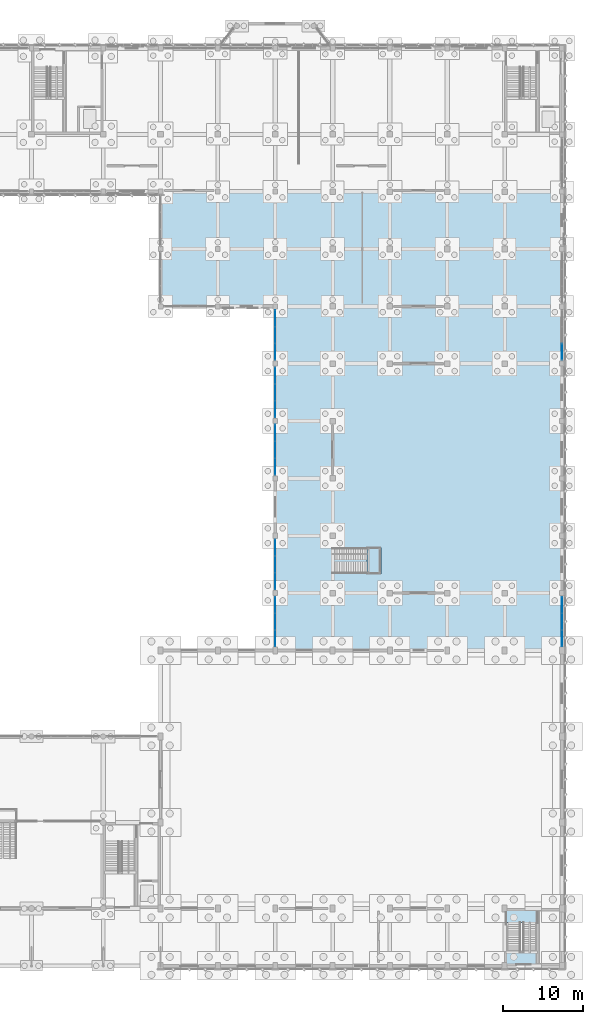
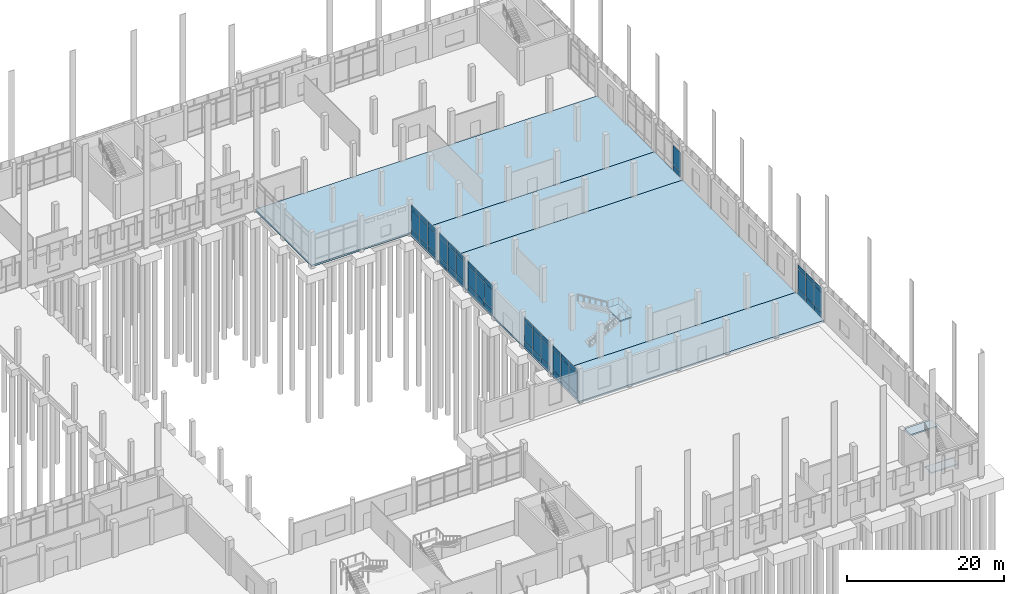
# One storey, part 78 of 109: 56 plates, 7 slabs, 9 elements without a shape of their own.
"""IFC4 building model written with IfcOpenShell, lengths in metres."""

from ifc_helpers import new_model, si_unit, direction, frame, origin, origin_2d, place, context, subcontext, project, spatial, polyline, rectangle, outline, extrude, material, layer, layer_set, type_object, element, aggregate, save


model = new_model("IFC4")

# Units and contexts
model_context = context("Model", 3, precision=1e-05, world=origin(), true_north=direction((0.0, 1.0)))
body_context = subcontext(model_context, "Body", "Model", "MODEL_VIEW")
ifc_project = project(units=[si_unit("LENGTHUNIT", "METRE"), si_unit("AREAUNIT", "SQUARE_METRE"), si_unit("VOLUMEUNIT", "CUBIC_METRE"), si_unit("PLANEANGLEUNIT", "RADIAN"), si_unit("MASSUNIT", "GRAM", prefix="KILO")], contexts=[model_context])

# Site, building, storey
site_placement = place(None, origin())
site = spatial("IfcSite", under=ifc_project, at=site_placement, CompositionType="ELEMENT")
building_placement = place(site_placement, origin())
building = spatial("IfcBuilding", under=site, at=building_placement, Name="Lusvemor Sports Hall", CompositionType="ELEMENT")
storey_placement = place(building_placement, origin())
storey = spatial("IfcBuildingStorey", under=building, at=storey_placement, Name="L00", CompositionType="ELEMENT", Elevation=0.0)

# Curtain wall, plates
ifc_material_1 = material(Name="Thermally broken bronze-anodized aluminium", Category="aluminium")
curtain_wall_type_1 = type_object("IfcCurtainWallType", Name="CW_CLIMB_D", PredefinedType="NOTDEFINED", material=ifc_material_1)
curtain_wall_1_placement = place(storey_placement, origin())
curtain_wall_1 = element("IfcCurtainWall", 1, at=curtain_wall_1_placement, inside=storey, type_object=curtain_wall_type_1, Name="Curtain Wall CW-V3W-L00-0", PredefinedType="NOTDEFINED")
ifc_material_2 = material(Name="Solar-control laminated double glazing", Category="glass")
ifc_layer_1 = layer(ifc_material_2, 0.028076171875)
ifc_layer_set_1 = layer_set([ifc_layer_1], Name="Solar-control laminated double glazing")
plate_type_1 = type_object("IfcPlateType", Name="CW_PAN_GLZ_28", PredefinedType="CURTAIN_PANEL", material=ifc_layer_set_1)
plate_1_placement = place(storey_placement, frame((133.199951171875, 48.296142578125, 0.8798828125), z_axis=(0.0, 0.0, 1.0), x_axis=(0.0, 1.0, 0.0)))
plate_1 = element("IfcPlate", 2, at=plate_1_placement, type_object=plate_type_1, Name="CW04 panel 1.2", PredefinedType="CURTAIN_PANEL", context=body_context, shape_type="SweptSolid", body=[
    extrude(rectangle(XDim=2.0224609375, YDim=0.028076171875, at=origin_2d()), origin(), (0.0, 0.0, 1.0), 3.0400390625),
])
plate_2_placement = place(storey_placement, frame((133.199951171875, 48.296142578125, 3.97998046875), z_axis=(0.0, 0.0, 1.0), x_axis=(0.0, 1.0, 0.0)))
plate_2 = element("IfcPlate", 3, at=plate_2_placement, type_object=plate_type_1, Name="CW04 panel 1.3", PredefinedType="CURTAIN_PANEL", context=body_context, shape_type="SweptSolid", body=[
    extrude(rectangle(XDim=2.0224609375, YDim=0.028076171875, at=origin_2d()), origin(), (0.0, 0.0, 1.0), 0.659912109375),
])
plate_3_placement = place(storey_placement, frame((133.199951171875, 50.39990234375, 0.8798828125), z_axis=(0.0, 0.0, 1.0), x_axis=(0.0, 1.0, 0.0)))
plate_3 = element("IfcPlate", 4, at=plate_3_placement, type_object=plate_type_1, Name="CW04 panel 2.2", PredefinedType="CURTAIN_PANEL", context=body_context, shape_type="SweptSolid", body=[
    extrude(rectangle(XDim=2.054931640625, YDim=0.028076171875, at=origin_2d()), origin(), (0.0, 0.0, 1.0), 3.0400390625),
])
plate_4_placement = place(storey_placement, frame((133.199951171875, 50.39990234375, 3.97998046875), z_axis=(0.0, 0.0, 1.0), x_axis=(0.0, 1.0, 0.0)))
plate_4 = element("IfcPlate", 5, at=plate_4_placement, type_object=plate_type_1, Name="CW04 panel 2.3", PredefinedType="CURTAIN_PANEL", context=body_context, shape_type="SweptSolid", body=[
    extrude(rectangle(XDim=2.054931640625, YDim=0.028076171875, at=origin_2d()), origin(), (0.0, 0.0, 1.0), 0.659912109375),
])
plate_5_placement = place(storey_placement, frame((133.199951171875, 52.503662109375, 0.8798828125), z_axis=(0.0, 0.0, 1.0), x_axis=(0.0, 1.0, 0.0)))
plate_5 = element("IfcPlate", 6, at=plate_5_placement, type_object=plate_type_1, Name="CW04 panel 3.2", PredefinedType="CURTAIN_PANEL", context=body_context, shape_type="SweptSolid", body=[
    extrude(rectangle(XDim=2.0224609375, YDim=0.028076171875, at=origin_2d()), origin(), (0.0, 0.0, 1.0), 3.0400390625),
])
plate_6_placement = place(storey_placement, frame((133.199951171875, 52.503662109375, 3.97998046875), z_axis=(0.0, 0.0, 1.0), x_axis=(0.0, 1.0, 0.0)))
plate_6 = element("IfcPlate", 7, at=plate_6_placement, type_object=plate_type_1, Name="CW04 panel 3.3", PredefinedType="CURTAIN_PANEL", context=body_context, shape_type="SweptSolid", body=[
    extrude(rectangle(XDim=2.0224609375, YDim=0.028076171875, at=origin_2d()), origin(), (0.0, 0.0, 1.0), 0.659912109375),
])

curtain_wall_2_placement = place(storey_placement, origin())
curtain_wall_2 = element("IfcCurtainWall", 8, at=curtain_wall_2_placement, inside=storey, type_object=curtain_wall_type_1, Name="Curtain Wall CW-V3W-L00-2", PredefinedType="NOTDEFINED")
plate_7_placement = place(storey_placement, frame((133.199951171875, 62.6962890625, 0.8798828125), z_axis=(0.0, 0.0, 1.0), x_axis=(0.0, 1.0, 0.0)))
plate_7 = element("IfcPlate", 9, at=plate_7_placement, type_object=plate_type_1, Name="CW04 panel 1.2", PredefinedType="CURTAIN_PANEL", context=body_context, shape_type="SweptSolid", body=[
    extrude(rectangle(XDim=2.0224609375, YDim=0.028076171875, at=origin_2d()), origin(), (0.0, 0.0, 1.0), 3.0400390625),
])
plate_8_placement = place(storey_placement, frame((133.199951171875, 62.6962890625, 3.97998046875), z_axis=(0.0, 0.0, 1.0), x_axis=(0.0, 1.0, 0.0)))
plate_8 = element("IfcPlate", 10, at=plate_8_placement, type_object=plate_type_1, Name="CW04 panel 1.3", PredefinedType="CURTAIN_PANEL", context=body_context, shape_type="SweptSolid", body=[
    extrude(rectangle(XDim=2.0224609375, YDim=0.028076171875, at=origin_2d()), origin(), (0.0, 0.0, 1.0), 0.659912109375),
])
plate_9_placement = place(storey_placement, frame((133.199951171875, 64.800048828125, 0.8798828125), z_axis=(0.0, 0.0, 1.0), x_axis=(0.0, 1.0, 0.0)))
plate_9 = element("IfcPlate", 11, at=plate_9_placement, type_object=plate_type_1, Name="CW04 panel 2.2", PredefinedType="CURTAIN_PANEL", context=body_context, shape_type="SweptSolid", body=[
    extrude(rectangle(XDim=2.054931640625, YDim=0.028076171875, at=origin_2d()), origin(), (0.0, 0.0, 1.0), 3.0400390625),
])
plate_10_placement = place(storey_placement, frame((133.199951171875, 64.800048828125, 3.97998046875), z_axis=(0.0, 0.0, 1.0), x_axis=(0.0, 1.0, 0.0)))
plate_10 = element("IfcPlate", 12, at=plate_10_placement, type_object=plate_type_1, Name="CW04 panel 2.3", PredefinedType="CURTAIN_PANEL", context=body_context, shape_type="SweptSolid", body=[
    extrude(rectangle(XDim=2.054931640625, YDim=0.028076171875, at=origin_2d()), origin(), (0.0, 0.0, 1.0), 0.659912109375),
])
plate_11_placement = place(storey_placement, frame((133.199951171875, 66.90380859375, 0.8798828125), z_axis=(0.0, 0.0, 1.0), x_axis=(0.0, 1.0, 0.0)))
plate_11 = element("IfcPlate", 13, at=plate_11_placement, type_object=plate_type_1, Name="CW04 panel 3.2", PredefinedType="CURTAIN_PANEL", context=body_context, shape_type="SweptSolid", body=[
    extrude(rectangle(XDim=2.0224609375, YDim=0.028076171875, at=origin_2d()), origin(), (0.0, 0.0, 1.0), 3.0400390625),
])
plate_12_placement = place(storey_placement, frame((133.199951171875, 66.90380859375, 3.97998046875), z_axis=(0.0, 0.0, 1.0), x_axis=(0.0, 1.0, 0.0)))
plate_12 = element("IfcPlate", 14, at=plate_12_placement, type_object=plate_type_1, Name="CW04 panel 3.3", PredefinedType="CURTAIN_PANEL", context=body_context, shape_type="SweptSolid", body=[
    extrude(rectangle(XDim=2.0224609375, YDim=0.028076171875, at=origin_2d()), origin(), (0.0, 0.0, 1.0), 0.659912109375),
])

curtain_wall_3_placement = place(storey_placement, origin())
curtain_wall_3 = element("IfcCurtainWall", 15, at=curtain_wall_3_placement, inside=storey, type_object=curtain_wall_type_1, Name="Curtain Wall CW-V3W-L00-3", PredefinedType="NOTDEFINED")
plate_13_placement = place(storey_placement, frame((133.199951171875, 69.896240234375, 0.8798828125), z_axis=(0.0, 0.0, 1.0), x_axis=(0.0, 1.0, 0.0)))
plate_13 = element("IfcPlate", 16, at=plate_13_placement, type_object=plate_type_1, Name="CW04 panel 1.2", PredefinedType="CURTAIN_PANEL", context=body_context, shape_type="SweptSolid", body=[
    extrude(rectangle(XDim=2.0224609375, YDim=0.028076171875, at=origin_2d()), origin(), (0.0, 0.0, 1.0), 3.0400390625),
])
plate_14_placement = place(storey_placement, frame((133.199951171875, 69.896240234375, 3.97998046875), z_axis=(0.0, 0.0, 1.0), x_axis=(0.0, 1.0, 0.0)))
plate_14 = element("IfcPlate", 17, at=plate_14_placement, type_object=plate_type_1, Name="CW04 panel 1.3", PredefinedType="CURTAIN_PANEL", context=body_context, shape_type="SweptSolid", body=[
    extrude(rectangle(XDim=2.0224609375, YDim=0.028076171875, at=origin_2d()), origin(), (0.0, 0.0, 1.0), 0.659912109375),
])
plate_15_placement = place(storey_placement, frame((133.199951171875, 72.0, 0.8798828125), z_axis=(0.0, 0.0, 1.0), x_axis=(0.0, 1.0, 0.0)))
plate_15 = element("IfcPlate", 18, at=plate_15_placement, type_object=plate_type_1, Name="CW04 panel 2.2", PredefinedType="CURTAIN_PANEL", context=body_context, shape_type="SweptSolid", body=[
    extrude(rectangle(XDim=2.054931640625, YDim=0.028076171875, at=origin_2d()), origin(), (0.0, 0.0, 1.0), 3.0400390625),
])
plate_16_placement = place(storey_placement, frame((133.199951171875, 72.0, 3.97998046875), z_axis=(0.0, 0.0, 1.0), x_axis=(0.0, 1.0, 0.0)))
plate_16 = element("IfcPlate", 19, at=plate_16_placement, type_object=plate_type_1, Name="CW04 panel 2.3", PredefinedType="CURTAIN_PANEL", context=body_context, shape_type="SweptSolid", body=[
    extrude(rectangle(XDim=2.054931640625, YDim=0.028076171875, at=origin_2d()), origin(), (0.0, 0.0, 1.0), 0.659912109375),
])
plate_17_placement = place(storey_placement, frame((133.199951171875, 74.103759765625, 0.8798828125), z_axis=(0.0, 0.0, 1.0), x_axis=(0.0, 1.0, 0.0)))
plate_17 = element("IfcPlate", 20, at=plate_17_placement, type_object=plate_type_1, Name="CW04 panel 3.2", PredefinedType="CURTAIN_PANEL", context=body_context, shape_type="SweptSolid", body=[
    extrude(rectangle(XDim=2.0224609375, YDim=0.028076171875, at=origin_2d()), origin(), (0.0, 0.0, 1.0), 3.0400390625),
])
plate_18_placement = place(storey_placement, frame((133.199951171875, 74.103759765625, 3.97998046875), z_axis=(0.0, 0.0, 1.0), x_axis=(0.0, 1.0, 0.0)))
plate_18 = element("IfcPlate", 21, at=plate_18_placement, type_object=plate_type_1, Name="CW04 panel 3.3", PredefinedType="CURTAIN_PANEL", context=body_context, shape_type="SweptSolid", body=[
    extrude(rectangle(XDim=2.0224609375, YDim=0.028076171875, at=origin_2d()), origin(), (0.0, 0.0, 1.0), 0.659912109375),
])

ifc_material_3 = material(Name="Thermally broken bronze-anodized aluminium", Category="aluminium")
curtain_wall_type_2 = type_object("IfcCurtainWallType", Name="CW_PASSAGE_E", PredefinedType="NOTDEFINED", material=ifc_material_3)
curtain_wall_4_placement = place(storey_placement, origin())
curtain_wall_4 = element("IfcCurtainWall", 22, at=curtain_wall_4_placement, inside=storey, type_object=curtain_wall_type_2, Name="Curtain Wall CW-ELINK-133-L00", PredefinedType="NOTDEFINED")
plate_19_placement = place(storey_placement, frame((133.199951171875, 41.142822265625, 0.8798828125), z_axis=(0.0, 0.0, 1.0), x_axis=(0.0, 1.0, 0.0)))
plate_19 = element("IfcPlate", 23, at=plate_19_placement, type_object=plate_type_1, Name="CW05 panel 1.2", PredefinedType="CURTAIN_PANEL", context=body_context, shape_type="SweptSolid", body=[
    extrude(rectangle(XDim=1.995849609375, YDim=0.028076171875, at=origin_2d()), origin(), (0.0, 0.0, 1.0), 3.0400390625),
])
plate_20_placement = place(storey_placement, frame((133.199951171875, 41.142822265625, 3.97998046875), z_axis=(0.0, 0.0, 1.0), x_axis=(0.0, 1.0, 0.0)))
plate_20 = element("IfcPlate", 24, at=plate_20_placement, type_object=plate_type_1, Name="CW05 panel 1.3", PredefinedType="CURTAIN_PANEL", context=body_context, shape_type="SweptSolid", body=[
    extrude(rectangle(XDim=1.995849609375, YDim=0.028076171875, at=origin_2d()), origin(), (0.0, 0.0, 1.0), 0.659912109375),
])
plate_21_placement = place(storey_placement, frame((133.199951171875, 43.219970703125, 0.8798828125), z_axis=(0.0, 0.0, 1.0), x_axis=(0.0, 1.0, 0.0)))
plate_21 = element("IfcPlate", 25, at=plate_21_placement, type_object=plate_type_1, Name="CW05 panel 2.2", PredefinedType="CURTAIN_PANEL", context=body_context, shape_type="SweptSolid", body=[
    extrude(rectangle(XDim=2.0283203125, YDim=0.028076171875, at=origin_2d()), origin(), (0.0, 0.0, 1.0), 3.0400390625),
])
plate_22_placement = place(storey_placement, frame((133.199951171875, 43.219970703125, 3.97998046875), z_axis=(0.0, 0.0, 1.0), x_axis=(0.0, 1.0, 0.0)))
plate_22 = element("IfcPlate", 26, at=plate_22_placement, type_object=plate_type_1, Name="CW05 panel 2.3", PredefinedType="CURTAIN_PANEL", context=body_context, shape_type="SweptSolid", body=[
    extrude(rectangle(XDim=2.0283203125, YDim=0.028076171875, at=origin_2d()), origin(), (0.0, 0.0, 1.0), 0.659912109375),
])
plate_23_placement = place(storey_placement, frame((133.199951171875, 45.297119140625, 0.8798828125), z_axis=(0.0, 0.0, 1.0), x_axis=(0.0, 1.0, 0.0)))
plate_23 = element("IfcPlate", 27, at=plate_23_placement, type_object=plate_type_1, Name="CW05 panel 3.2", PredefinedType="CURTAIN_PANEL", context=body_context, shape_type="SweptSolid", body=[
    extrude(rectangle(XDim=1.995849609375, YDim=0.028076171875, at=origin_2d()), origin(), (0.0, 0.0, 1.0), 3.0400390625),
])
plate_24_placement = place(storey_placement, frame((133.199951171875, 45.297119140625, 3.97998046875), z_axis=(0.0, 0.0, 1.0), x_axis=(0.0, 1.0, 0.0)))
plate_24 = element("IfcPlate", 28, at=plate_24_placement, type_object=plate_type_1, Name="CW05 panel 3.3", PredefinedType="CURTAIN_PANEL", context=body_context, shape_type="SweptSolid", body=[
    extrude(rectangle(XDim=1.995849609375, YDim=0.028076171875, at=origin_2d()), origin(), (0.0, 0.0, 1.0), 0.659912109375),
])

curtain_wall_5_placement = place(storey_placement, origin())
curtain_wall_5 = element("IfcCurtainWall", 29, at=curtain_wall_5_placement, inside=storey, type_object=curtain_wall_type_2, Name="Curtain Wall CW-ELINK-169-L00", PredefinedType="NOTDEFINED")
plate_25_placement = place(storey_placement, frame((169.199951171875, 41.142822265625, 0.8798828125), z_axis=(0.0, 0.0, 1.0), x_axis=(0.0, 1.0, 0.0)))
plate_25 = element("IfcPlate", 30, at=plate_25_placement, type_object=plate_type_1, Name="CW05 panel 1.2", PredefinedType="CURTAIN_PANEL", context=body_context, shape_type="SweptSolid", body=[
    extrude(rectangle(XDim=1.995849609375, YDim=0.028076171875, at=origin_2d()), origin(), (0.0, 0.0, 1.0), 3.0400390625),
])
plate_26_placement = place(storey_placement, frame((169.199951171875, 41.142822265625, 3.97998046875), z_axis=(0.0, 0.0, 1.0), x_axis=(0.0, 1.0, 0.0)))
plate_26 = element("IfcPlate", 31, at=plate_26_placement, type_object=plate_type_1, Name="CW05 panel 1.3", PredefinedType="CURTAIN_PANEL", context=body_context, shape_type="SweptSolid", body=[
    extrude(rectangle(XDim=1.995849609375, YDim=0.028076171875, at=origin_2d()), origin(), (0.0, 0.0, 1.0), 0.659912109375),
])
plate_27_placement = place(storey_placement, frame((169.199951171875, 43.219970703125, 0.8798828125), z_axis=(0.0, 0.0, 1.0), x_axis=(0.0, 1.0, 0.0)))
plate_27 = element("IfcPlate", 32, at=plate_27_placement, type_object=plate_type_1, Name="CW05 panel 2.2", PredefinedType="CURTAIN_PANEL", context=body_context, shape_type="SweptSolid", body=[
    extrude(rectangle(XDim=2.0283203125, YDim=0.028076171875, at=origin_2d()), origin(), (0.0, 0.0, 1.0), 3.0400390625),
])
plate_28_placement = place(storey_placement, frame((169.199951171875, 43.219970703125, 3.97998046875), z_axis=(0.0, 0.0, 1.0), x_axis=(0.0, 1.0, 0.0)))
plate_28 = element("IfcPlate", 33, at=plate_28_placement, type_object=plate_type_1, Name="CW05 panel 2.3", PredefinedType="CURTAIN_PANEL", context=body_context, shape_type="SweptSolid", body=[
    extrude(rectangle(XDim=2.0283203125, YDim=0.028076171875, at=origin_2d()), origin(), (0.0, 0.0, 1.0), 0.659912109375),
])
plate_29_placement = place(storey_placement, frame((169.199951171875, 45.297119140625, 0.8798828125), z_axis=(0.0, 0.0, 1.0), x_axis=(0.0, 1.0, 0.0)))
plate_29 = element("IfcPlate", 34, at=plate_29_placement, type_object=plate_type_1, Name="CW05 panel 3.2", PredefinedType="CURTAIN_PANEL", context=body_context, shape_type="SweptSolid", body=[
    extrude(rectangle(XDim=1.995849609375, YDim=0.028076171875, at=origin_2d()), origin(), (0.0, 0.0, 1.0), 3.0400390625),
])
plate_30_placement = place(storey_placement, frame((169.199951171875, 45.297119140625, 3.97998046875), z_axis=(0.0, 0.0, 1.0), x_axis=(0.0, 1.0, 0.0)))
plate_30 = element("IfcPlate", 35, at=plate_30_placement, type_object=plate_type_1, Name="CW05 panel 3.3", PredefinedType="CURTAIN_PANEL", context=body_context, shape_type="SweptSolid", body=[
    extrude(rectangle(XDim=1.995849609375, YDim=0.028076171875, at=origin_2d()), origin(), (0.0, 0.0, 1.0), 0.659912109375),
])

curtain_wall_6_placement = place(storey_placement, origin())
curtain_wall_6 = element("IfcCurtainWall", 36, at=curtain_wall_6_placement, inside=storey, type_object=curtain_wall_type_2, Name="Curtain Wall CW-NLINK-133-L00", PredefinedType="NOTDEFINED")
plate_31_placement = place(storey_placement, frame((133.199951171875, 77.109619140625, 0.8798828125), z_axis=(0.0, 0.0, 1.0), x_axis=(0.0, 1.0, 0.0)))
plate_31 = element("IfcPlate", 37, at=plate_31_placement, type_object=plate_type_1, Name="CW05 panel 1.2", PredefinedType="CURTAIN_PANEL", context=body_context, shape_type="SweptSolid", body=[
    extrude(rectangle(XDim=2.00927734375, YDim=0.028076171875, at=origin_2d()), origin(), (0.0, 0.0, 1.0), 3.0400390625),
])
plate_32_placement = place(storey_placement, frame((133.199951171875, 77.109619140625, 3.97998046875), z_axis=(0.0, 0.0, 1.0), x_axis=(0.0, 1.0, 0.0)))
plate_32 = element("IfcPlate", 38, at=plate_32_placement, type_object=plate_type_1, Name="CW05 panel 1.3", PredefinedType="CURTAIN_PANEL", context=body_context, shape_type="SweptSolid", body=[
    extrude(rectangle(XDim=2.00927734375, YDim=0.028076171875, at=origin_2d()), origin(), (0.0, 0.0, 1.0), 0.659912109375),
])
plate_33_placement = place(storey_placement, frame((133.199951171875, 79.199951171875, 0.8798828125), z_axis=(0.0, 0.0, 1.0), x_axis=(0.0, 1.0, 0.0)))
plate_33 = element("IfcPlate", 39, at=plate_33_placement, type_object=plate_type_1, Name="CW05 panel 2.2", PredefinedType="CURTAIN_PANEL", context=body_context, shape_type="SweptSolid", body=[
    extrude(rectangle(XDim=2.041748046875, YDim=0.028076171875, at=origin_2d()), origin(), (0.0, 0.0, 1.0), 3.0400390625),
])
plate_34_placement = place(storey_placement, frame((133.199951171875, 79.199951171875, 3.97998046875), z_axis=(0.0, 0.0, 1.0), x_axis=(0.0, 1.0, 0.0)))
plate_34 = element("IfcPlate", 40, at=plate_34_placement, type_object=plate_type_1, Name="CW05 panel 2.3", PredefinedType="CURTAIN_PANEL", context=body_context, shape_type="SweptSolid", body=[
    extrude(rectangle(XDim=2.041748046875, YDim=0.028076171875, at=origin_2d()), origin(), (0.0, 0.0, 1.0), 0.659912109375),
])
plate_35_placement = place(storey_placement, frame((133.199951171875, 81.29052734375, 0.8798828125), z_axis=(0.0, 0.0, 1.0), x_axis=(0.0, 1.0, 0.0)))
plate_35 = element("IfcPlate", 41, at=plate_35_placement, type_object=plate_type_1, Name="CW05 panel 3.2", PredefinedType="CURTAIN_PANEL", context=body_context, shape_type="SweptSolid", body=[
    extrude(rectangle(XDim=2.00927734375, YDim=0.028076171875, at=origin_2d()), origin(), (0.0, 0.0, 1.0), 3.0400390625),
])
plate_36_placement = place(storey_placement, frame((133.199951171875, 81.29052734375, 3.97998046875), z_axis=(0.0, 0.0, 1.0), x_axis=(0.0, 1.0, 0.0)))
plate_36 = element("IfcPlate", 42, at=plate_36_placement, type_object=plate_type_1, Name="CW05 panel 3.3", PredefinedType="CURTAIN_PANEL", context=body_context, shape_type="SweptSolid", body=[
    extrude(rectangle(XDim=2.00927734375, YDim=0.028076171875, at=origin_2d()), origin(), (0.0, 0.0, 1.0), 0.659912109375),
])

# Curtain wall, plate
curtain_wall_7_placement = place(storey_placement, origin())
curtain_wall_7 = element("IfcCurtainWall", 43, at=curtain_wall_7_placement, inside=storey, type_object=curtain_wall_type_2, Name="Curtain Wall CW-NLINK-169-L00", PredefinedType="NOTDEFINED")
plate_37_placement = place(storey_placement, frame((169.199951171875, 77.109619140625, 0.8798828125), z_axis=(0.0, 0.0, 1.0), x_axis=(0.0, 1.0, 0.0)))
plate_37 = element("IfcPlate", 44, at=plate_37_placement, type_object=plate_type_1, Name="CW05 panel 1.2", PredefinedType="CURTAIN_PANEL", context=body_context, shape_type="SweptSolid", body=[
    extrude(rectangle(XDim=2.00927734375, YDim=0.028076171875, at=origin_2d()), origin(), (0.0, 0.0, 1.0), 3.0400390625),
])

# Plate
ifc_material_4 = material(Name="Emerald polychrome glazed ceramic cladding on Concrete C40/50 backing", Category="concrete")
ifc_layer_2 = layer(ifc_material_4, 0.048095703125)
ifc_layer_set_2 = layer_set([ifc_layer_2], Name="Emerald polychrome glazed ceramic cladding on Concrete C40/50 backing")
plate_type_2 = type_object("IfcPlateType", Name="CW_PAN_SPN_48", PredefinedType="CURTAIN_PANEL", material=ifc_layer_set_2)
plate_38_placement = place(storey_placement, frame((133.199951171875, 48.296142578125, 0.06005859375), z_axis=(0.0, 0.0, 1.0), x_axis=(0.0, 1.0, 0.0)))
plate_38 = element("IfcPlate", 45, at=plate_38_placement, type_object=plate_type_2, Name="CW04 panel 1.1", PredefinedType="CURTAIN_PANEL", context=body_context, shape_type="SweptSolid", body=[
    extrude(rectangle(XDim=2.0224609375, YDim=0.048095703125, at=origin_2d()), origin(), (0.0, 0.0, 1.0), 0.760009765625),
])

plate_39_placement = place(storey_placement, frame((133.199951171875, 50.39990234375, 0.06005859375), z_axis=(0.0, 0.0, 1.0), x_axis=(0.0, 1.0, 0.0)))
plate_39 = element("IfcPlate", 46, at=plate_39_placement, type_object=plate_type_2, Name="CW04 panel 2.1", PredefinedType="CURTAIN_PANEL", context=body_context, shape_type="SweptSolid", body=[
    extrude(rectangle(XDim=2.054931640625, YDim=0.048095703125, at=origin_2d()), origin(), (0.0, 0.0, 1.0), 0.760009765625),
])

plate_40_placement = place(storey_placement, frame((133.199951171875, 52.503662109375, 0.06005859375), z_axis=(0.0, 0.0, 1.0), x_axis=(0.0, 1.0, 0.0)))
plate_40 = element("IfcPlate", 47, at=plate_40_placement, type_object=plate_type_2, Name="CW04 panel 3.1", PredefinedType="CURTAIN_PANEL", context=body_context, shape_type="SweptSolid", body=[
    extrude(rectangle(XDim=2.0224609375, YDim=0.048095703125, at=origin_2d()), origin(), (0.0, 0.0, 1.0), 0.760009765625),
])

aggregate(curtain_wall_1, [plate_38, plate_1, plate_2, plate_39, plate_3, plate_4, plate_40, plate_5, plate_6])

plate_41_placement = place(storey_placement, frame((133.199951171875, 62.6962890625, 0.06005859375), z_axis=(0.0, 0.0, 1.0), x_axis=(0.0, 1.0, 0.0)))
plate_41 = element("IfcPlate", 48, at=plate_41_placement, type_object=plate_type_2, Name="CW04 panel 1.1", PredefinedType="CURTAIN_PANEL", context=body_context, shape_type="SweptSolid", body=[
    extrude(rectangle(XDim=2.0224609375, YDim=0.048095703125, at=origin_2d()), origin(), (0.0, 0.0, 1.0), 0.760009765625),
])

plate_42_placement = place(storey_placement, frame((133.199951171875, 64.800048828125, 0.06005859375), z_axis=(0.0, 0.0, 1.0), x_axis=(0.0, 1.0, 0.0)))
plate_42 = element("IfcPlate", 49, at=plate_42_placement, type_object=plate_type_2, Name="CW04 panel 2.1", PredefinedType="CURTAIN_PANEL", context=body_context, shape_type="SweptSolid", body=[
    extrude(rectangle(XDim=2.054931640625, YDim=0.048095703125, at=origin_2d()), origin(), (0.0, 0.0, 1.0), 0.760009765625),
])

plate_43_placement = place(storey_placement, frame((133.199951171875, 66.90380859375, 0.06005859375), z_axis=(0.0, 0.0, 1.0), x_axis=(0.0, 1.0, 0.0)))
plate_43 = element("IfcPlate", 50, at=plate_43_placement, type_object=plate_type_2, Name="CW04 panel 3.1", PredefinedType="CURTAIN_PANEL", context=body_context, shape_type="SweptSolid", body=[
    extrude(rectangle(XDim=2.0224609375, YDim=0.048095703125, at=origin_2d()), origin(), (0.0, 0.0, 1.0), 0.760009765625),
])

aggregate(curtain_wall_2, [plate_41, plate_7, plate_8, plate_42, plate_9, plate_10, plate_43, plate_11, plate_12])

plate_44_placement = place(storey_placement, frame((133.199951171875, 69.896240234375, 0.06005859375), z_axis=(0.0, 0.0, 1.0), x_axis=(0.0, 1.0, 0.0)))
plate_44 = element("IfcPlate", 51, at=plate_44_placement, type_object=plate_type_2, Name="CW04 panel 1.1", PredefinedType="CURTAIN_PANEL", context=body_context, shape_type="SweptSolid", body=[
    extrude(rectangle(XDim=2.0224609375, YDim=0.048095703125, at=origin_2d()), origin(), (0.0, 0.0, 1.0), 0.760009765625),
])

plate_45_placement = place(storey_placement, frame((133.199951171875, 72.0, 0.06005859375), z_axis=(0.0, 0.0, 1.0), x_axis=(0.0, 1.0, 0.0)))
plate_45 = element("IfcPlate", 52, at=plate_45_placement, type_object=plate_type_2, Name="CW04 panel 2.1", PredefinedType="CURTAIN_PANEL", context=body_context, shape_type="SweptSolid", body=[
    extrude(rectangle(XDim=2.054931640625, YDim=0.048095703125, at=origin_2d()), origin(), (0.0, 0.0, 1.0), 0.760009765625),
])

plate_46_placement = place(storey_placement, frame((133.199951171875, 74.103759765625, 0.06005859375), z_axis=(0.0, 0.0, 1.0), x_axis=(0.0, 1.0, 0.0)))
plate_46 = element("IfcPlate", 53, at=plate_46_placement, type_object=plate_type_2, Name="CW04 panel 3.1", PredefinedType="CURTAIN_PANEL", context=body_context, shape_type="SweptSolid", body=[
    extrude(rectangle(XDim=2.0224609375, YDim=0.048095703125, at=origin_2d()), origin(), (0.0, 0.0, 1.0), 0.760009765625),
])

aggregate(curtain_wall_3, [plate_44, plate_13, plate_14, plate_45, plate_15, plate_16, plate_46, plate_17, plate_18])

plate_47_placement = place(storey_placement, frame((133.199951171875, 41.142822265625, 0.06005859375), z_axis=(0.0, 0.0, 1.0), x_axis=(0.0, 1.0, 0.0)))
plate_47 = element("IfcPlate", 54, at=plate_47_placement, type_object=plate_type_2, Name="CW05 panel 1.1", PredefinedType="CURTAIN_PANEL", context=body_context, shape_type="SweptSolid", body=[
    extrude(rectangle(XDim=1.995849609375, YDim=0.048095703125, at=origin_2d()), origin(), (0.0, 0.0, 1.0), 0.760009765625),
])

plate_48_placement = place(storey_placement, frame((133.199951171875, 43.219970703125, 0.06005859375), z_axis=(0.0, 0.0, 1.0), x_axis=(0.0, 1.0, 0.0)))
plate_48 = element("IfcPlate", 55, at=plate_48_placement, type_object=plate_type_2, Name="CW05 panel 2.1", PredefinedType="CURTAIN_PANEL", context=body_context, shape_type="SweptSolid", body=[
    extrude(rectangle(XDim=2.0283203125, YDim=0.048095703125, at=origin_2d()), origin(), (0.0, 0.0, 1.0), 0.760009765625),
])

plate_49_placement = place(storey_placement, frame((133.199951171875, 45.297119140625, 0.06005859375), z_axis=(0.0, 0.0, 1.0), x_axis=(0.0, 1.0, 0.0)))
plate_49 = element("IfcPlate", 56, at=plate_49_placement, type_object=plate_type_2, Name="CW05 panel 3.1", PredefinedType="CURTAIN_PANEL", context=body_context, shape_type="SweptSolid", body=[
    extrude(rectangle(XDim=1.995849609375, YDim=0.048095703125, at=origin_2d()), origin(), (0.0, 0.0, 1.0), 0.760009765625),
])

aggregate(curtain_wall_4, [plate_47, plate_19, plate_20, plate_48, plate_21, plate_22, plate_49, plate_23, plate_24])

plate_50_placement = place(storey_placement, frame((169.199951171875, 41.142822265625, 0.06005859375), z_axis=(0.0, 0.0, 1.0), x_axis=(0.0, 1.0, 0.0)))
plate_50 = element("IfcPlate", 57, at=plate_50_placement, type_object=plate_type_2, Name="CW05 panel 1.1", PredefinedType="CURTAIN_PANEL", context=body_context, shape_type="SweptSolid", body=[
    extrude(rectangle(XDim=1.995849609375, YDim=0.048095703125, at=origin_2d()), origin(), (0.0, 0.0, 1.0), 0.760009765625),
])

plate_51_placement = place(storey_placement, frame((169.199951171875, 43.219970703125, 0.06005859375), z_axis=(0.0, 0.0, 1.0), x_axis=(0.0, 1.0, 0.0)))
plate_51 = element("IfcPlate", 58, at=plate_51_placement, type_object=plate_type_2, Name="CW05 panel 2.1", PredefinedType="CURTAIN_PANEL", context=body_context, shape_type="SweptSolid", body=[
    extrude(rectangle(XDim=2.0283203125, YDim=0.048095703125, at=origin_2d()), origin(), (0.0, 0.0, 1.0), 0.760009765625),
])

plate_52_placement = place(storey_placement, frame((169.199951171875, 45.297119140625, 0.06005859375), z_axis=(0.0, 0.0, 1.0), x_axis=(0.0, 1.0, 0.0)))
plate_52 = element("IfcPlate", 59, at=plate_52_placement, type_object=plate_type_2, Name="CW05 panel 3.1", PredefinedType="CURTAIN_PANEL", context=body_context, shape_type="SweptSolid", body=[
    extrude(rectangle(XDim=1.995849609375, YDim=0.048095703125, at=origin_2d()), origin(), (0.0, 0.0, 1.0), 0.760009765625),
])

aggregate(curtain_wall_5, [plate_50, plate_25, plate_26, plate_51, plate_27, plate_28, plate_52, plate_29, plate_30])

plate_53_placement = place(storey_placement, frame((133.199951171875, 77.109619140625, 0.06005859375), z_axis=(0.0, 0.0, 1.0), x_axis=(0.0, 1.0, 0.0)))
plate_53 = element("IfcPlate", 60, at=plate_53_placement, type_object=plate_type_2, Name="CW05 panel 1.1", PredefinedType="CURTAIN_PANEL", context=body_context, shape_type="SweptSolid", body=[
    extrude(rectangle(XDim=2.00927734375, YDim=0.048095703125, at=origin_2d()), origin(), (0.0, 0.0, 1.0), 0.760009765625),
])

plate_54_placement = place(storey_placement, frame((133.199951171875, 79.199951171875, 0.06005859375), z_axis=(0.0, 0.0, 1.0), x_axis=(0.0, 1.0, 0.0)))
plate_54 = element("IfcPlate", 61, at=plate_54_placement, type_object=plate_type_2, Name="CW05 panel 2.1", PredefinedType="CURTAIN_PANEL", context=body_context, shape_type="SweptSolid", body=[
    extrude(rectangle(XDim=2.041748046875, YDim=0.048095703125, at=origin_2d()), origin(), (0.0, 0.0, 1.0), 0.760009765625),
])

plate_55_placement = place(storey_placement, frame((133.199951171875, 81.29052734375, 0.06005859375), z_axis=(0.0, 0.0, 1.0), x_axis=(0.0, 1.0, 0.0)))
plate_55 = element("IfcPlate", 62, at=plate_55_placement, type_object=plate_type_2, Name="CW05 panel 3.1", PredefinedType="CURTAIN_PANEL", context=body_context, shape_type="SweptSolid", body=[
    extrude(rectangle(XDim=2.00927734375, YDim=0.048095703125, at=origin_2d()), origin(), (0.0, 0.0, 1.0), 0.760009765625),
])

aggregate(curtain_wall_6, [plate_53, plate_31, plate_32, plate_54, plate_33, plate_34, plate_55, plate_35, plate_36])

plate_56_placement = place(storey_placement, frame((169.199951171875, 77.109619140625, 0.06005859375), z_axis=(0.0, 0.0, 1.0), x_axis=(0.0, 1.0, 0.0)))
plate_56 = element("IfcPlate", 63, at=plate_56_placement, type_object=plate_type_2, Name="CW05 panel 1.1", PredefinedType="CURTAIN_PANEL", context=body_context, shape_type="SweptSolid", body=[
    extrude(rectangle(XDim=2.00927734375, YDim=0.048095703125, at=origin_2d()), origin(), (0.0, 0.0, 1.0), 0.760009765625),
])

aggregate(curtain_wall_7, [plate_56, plate_37])

# Slabs
ifc_material_5 = material(Name="Concrete C40/50", Category="concrete")
ifc_layer_3 = layer(ifc_material_5, 0.300048828125)
ifc_layer_set_3 = layer_set([ifc_layer_3], Name="Concrete C40/50")
slab_type_1 = type_object("IfcSlabType", Name="SLAB_BASE_300", PredefinedType="BASESLAB", material=ifc_layer_set_3)
slab_1_placement = place(storey_placement, frame((0.0, 0.0, -0.300048828125)))
element("IfcSlab", 64, at=slab_1_placement, inside=storey, type_object=slab_type_1, Name="Slab L00 V5-ELINK", PredefinedType="BASESLAB", context=body_context, shape_type="SweptSolid", body=[
    extrude(outline(polyline([(133.199951171875, 39.60009765625), (169.199951171875, 39.60009765625), (169.199951171875, 46.800048828125), (133.199951171875, 46.800048828125), (133.199951171875, 39.60009765625)])), origin(), (0.0, 0.0, 1.0), 0.300048828125),
])
slab_2_placement = place(storey_placement, frame((0.0, 0.0, -0.300048828125)))
element("IfcSlab", 65, at=slab_2_placement, inside=storey, type_object=slab_type_1, Name="Slab L00 V3-CLIMB", PredefinedType="BASESLAB", context=body_context, shape_type="SweptSolid", body=[
    extrude(outline(polyline([(133.199951171875, 46.800048828125), (169.199951171875, 46.800048828125), (169.199951171875, 75.60009765625), (133.199951171875, 75.60009765625), (133.199951171875, 46.800048828125)])), origin(), (0.0, 0.0, 1.0), 0.300048828125),
])
slab_3_placement = place(storey_placement, frame((0.0, 0.0, -0.300048828125)))
element("IfcSlab", 66, at=slab_3_placement, inside=storey, type_object=slab_type_1, Name="Slab L00 V5-NLINK", PredefinedType="BASESLAB", context=body_context, shape_type="SweptSolid", body=[
    extrude(outline(polyline([(133.199951171875, 75.60009765625), (169.199951171875, 75.60009765625), (169.199951171875, 82.800048828125), (133.199951171875, 82.800048828125), (133.199951171875, 75.60009765625)])), origin(), (0.0, 0.0, 1.0), 0.300048828125),
])
ifc_material_6 = material(Name="Concrete C40/50", Category="concrete")
ifc_layer_4 = layer(ifc_material_6, 0.25)
ifc_layer_set_4 = layer_set([ifc_layer_4], Name="Concrete C40/50")
slab_type_2 = type_object("IfcSlabType", Name="SLAB_BASE_EXT_250", PredefinedType="BASESLAB", material=ifc_layer_set_4)
slab_4_placement = place(storey_placement, frame((0.0, 0.0, -0.25)))
element("IfcSlab", 67, at=slab_4_placement, inside=storey, type_object=slab_type_2, Name="Slab L00 V5-NETERR", PredefinedType="BASESLAB", context=body_context, shape_type="SweptSolid", body=[
    extrude(outline(polyline([(118.800048828125, 82.800048828125), (169.199951171875, 82.800048828125), (169.199951171875, 97.199951171875), (118.800048828125, 97.199951171875), (118.800048828125, 82.800048828125)])), origin(), (0.0, 0.0, 1.0), 0.25),
])

# Stair, slabs
ifc_material_7 = material(Name="Concrete C40/50", Category="concrete")
stair_type_1 = type_object("IfcStairType", Name="STAIR_CORE_540_C", PredefinedType="HALF_TURN_STAIR", material=ifc_material_7)
stair_1_placement = place(storey_placement, origin())
stair_1 = element("IfcStair", 68, at=stair_1_placement, inside=storey, type_object=stair_type_1, Name="Escape Stair C8 (L00)", PredefinedType="HALF_TURN_STAIR")
ifc_material_8 = material(Name="Concrete C40/50", Category="concrete")
ifc_layer_5 = layer(ifc_material_8, 0.199951171875)
ifc_layer_set_5 = layer_set([ifc_layer_5], Name="Concrete C40/50")
slab_type_3 = type_object("IfcSlabType", Name="SLAB_LAND_200", PredefinedType="LANDING", material=ifc_layer_set_5)
slab_5_placement = place(storey_placement, frame((0.0, 0.0, 2.5)))
slab_5 = element("IfcSlab", 69, at=slab_5_placement, type_object=slab_type_3, Name="ST05 landing 1", PredefinedType="LANDING", context=body_context, shape_type="SweptSolid", body=[
    extrude(outline(polyline([(162.179931640625, 0.179931640625), (166.1201171875, 0.179931640625), (166.1201171875, 1.739990234375), (162.179931640625, 1.739990234375), (162.179931640625, 0.179931640625)])), origin(), (0.0, 0.0, 1.0), 0.199951171875),
])
slab_6_placement = place(storey_placement, frame((0.0, 0.0, 5.199951171875)))
slab_6 = element("IfcSlab", 70, at=slab_6_placement, type_object=slab_type_3, Name="ST05 landing 2", PredefinedType="LANDING", context=body_context, shape_type="SweptSolid", body=[
    extrude(outline(polyline([(162.179931640625, 5.43994140625), (166.1201171875, 5.43994140625), (166.1201171875, 7.02001953125), (162.179931640625, 7.02001953125), (162.179931640625, 5.43994140625)])), origin(), (0.0, 0.0, 1.0), 0.199951171875),
])
aggregate(stair_1, [slab_5, slab_6])

# Stair, slab
ifc_material_9 = material(Name="Concrete C40/50", Category="concrete")
stair_type_2 = type_object("IfcStairType", Name="STAIR_GALLERY_540", PredefinedType="STRAIGHT_RUN_STAIR", material=ifc_material_9)
stair_2_placement = place(storey_placement, origin())
stair_2 = element("IfcStair", 71, at=stair_2_placement, inside=storey, type_object=stair_type_2, Name="Feature Stair STR-CLIMB-GAL", PredefinedType="STRAIGHT_RUN_STAIR")
ifc_material_10 = material(Name="Precast concrete C40/50", Category="concrete")
ifc_layer_6 = layer(ifc_material_10, 0.218017578125)
ifc_layer_set_6 = layer_set([ifc_layer_6], Name="Precast concrete C40/50")
slab_type_4 = type_object("IfcSlabType", Name="SLAB_LAND_218", PredefinedType="LANDING", material=ifc_layer_set_6)
slab_7_placement = place(storey_placement, frame((0.0, 0.0, 2.48193359375)))
slab_7 = element("IfcSlab", 72, at=slab_7_placement, type_object=slab_type_4, Name="ST04 landing 1", PredefinedType="LANDING", context=body_context, shape_type="SweptSolid", body=[
    extrude(outline(polyline([(144.7099609375, 49.199951171875), (146.449951171875, 49.199951171875), (146.449951171875, 52.5), (144.7099609375, 52.5), (144.7099609375, 49.199951171875)])), origin(), (0.0, 0.0, 1.0), 0.218017578125),
])
aggregate(stair_2, [slab_7])

save(model, "model.ifc")
